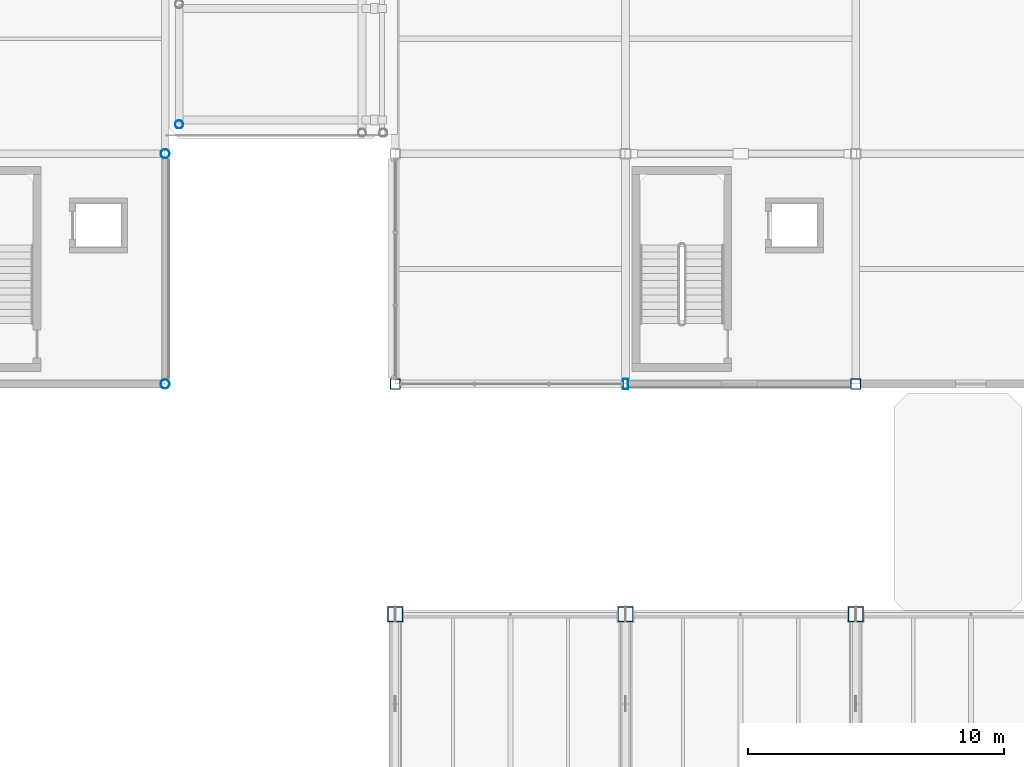
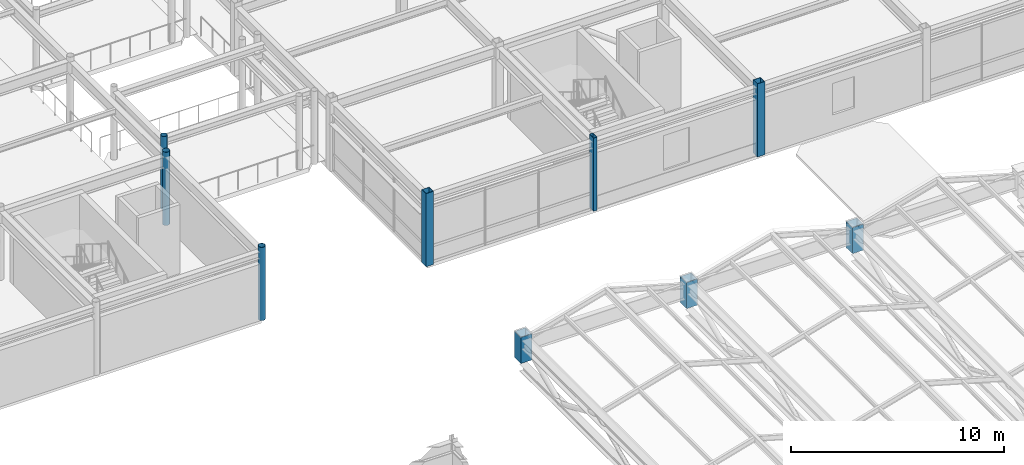
# One storey, part 9 of 108: 9 columns.
"""IFC4 building model written with IfcOpenShell, lengths in metres."""

from ifc_helpers import new_model, si_unit, direction, frame, origin, origin_2d, place, context, subcontext, project, spatial, hollow_rectangle, hollow_circle, extrude, material, material_profile, profile_set, type_object, element, save


model = new_model("IFC4")

# Units and contexts
model_context = context("Model", 3, precision=1e-05, world=origin(), true_north=direction((0.0, 1.0)))
body_context = subcontext(model_context, "Body", "Model", "MODEL_VIEW")
ifc_project = project(units=[si_unit("LENGTHUNIT", "METRE"), si_unit("AREAUNIT", "SQUARE_METRE"), si_unit("VOLUMEUNIT", "CUBIC_METRE"), si_unit("PLANEANGLEUNIT", "RADIAN"), si_unit("MASSUNIT", "GRAM", prefix="KILO")], contexts=[model_context])

# Site, building, storey
site_placement = place(None, origin())
site = spatial("IfcSite", under=ifc_project, at=site_placement, CompositionType="ELEMENT")
building_placement = place(site_placement, origin())
building = spatial("IfcBuilding", under=site, at=building_placement, Name="Suzunagisa Mobility Hub", CompositionType="ELEMENT")
storey_placement = place(building_placement, frame((0.0, 0.0, 9.300048828125)))
storey = spatial("IfcBuildingStorey", under=building, at=storey_placement, Name="L02", CompositionType="ELEMENT", Elevation=9.300048828125)

# Columns
ifc_material = material(Name="Steel SN490B", Category="steel")
ifc_material_profile_1 = material_profile(ifc_material, hollow_rectangle(XDim=0.199951171875, YDim=0.39990234375, WallThickness=0.011962890625, at=origin_2d()), Name="RHS-400x200x12")
ifc_profile_set_1 = profile_set([ifc_material_profile_1], Name="Steel SN490B")
column_type_1 = type_object("IfcColumnType", Name="Steel Column CL-03 RHS-400x200x12", PredefinedType="COLUMN", material=ifc_profile_set_1)
column_1_placement = place(storey_placement, frame((54.0, 80.0, 0.0), z_axis=(0.0, 0.0, 1.0), x_axis=(1.0, 0.0, 0.0)))
element("IfcColumn", 1, at=column_1_placement, inside=storey, type_object=column_type_1, Name="L02 Column 129", PredefinedType="COLUMN", context=body_context, shape_type="SweptSolid", body=[
    extrude(hollow_rectangle(XDim=0.199951171875, YDim=0.39990234375, WallThickness=0.011962890625, at=origin_2d()), origin(), (0.0, 0.0, 1.0), 4.199951171875),
])
ifc_material_profile_2 = material_profile(ifc_material, hollow_rectangle(XDim=0.60009765625, YDim=0.60009765625, WallThickness=0.031982421875, at=origin_2d()), Name="BOX-600x600x32")
ifc_profile_set_2 = profile_set([ifc_material_profile_2], Name="Steel SN490B")
column_type_2 = type_object("IfcColumnType", Name="Steel Column CL-05 BOX-600x600x32", PredefinedType="COLUMN", material=ifc_profile_set_2)
for number, where, z_axis, x_axis, name in (
    (2, (45.0, 71.0, 0.0), (0.0, 0.0, 1.0), (1.0, 0.0, 0.0), "L02 Column 117"),
    (3, (54.0, 71.0, 0.0), (0.0, 0.0, 1.0), (1.0, 0.0, 0.0), "L02 Column 128"),
    (4, (63.0, 71.0, 0.0), (0.0, 0.0, 1.0), (1.0, 0.0, 0.0), "L02 Column 137"),
):
    element("IfcColumn", number, at=place(storey_placement, frame(where, z_axis=z_axis, x_axis=x_axis)), inside=storey, type_object=column_type_2, Name=name, PredefinedType="COLUMN", context=body_context, shape_type="SweptSolid", body=[
        extrude(hollow_rectangle(XDim=0.60009765625, YDim=0.60009765625, WallThickness=0.031982421875, at=origin_2d()), origin(), (0.0, 0.0, 1.0), 1.5),
    ])
ifc_material_profile_3 = material_profile(ifc_material, hollow_circle(Radius=0.1591796875, WallThickness=0.01025390625, at=origin_2d()), Name="CHS-318.5x10.3")
ifc_profile_set_3 = profile_set([ifc_material_profile_3], Name="Steel SN490B")
column_type_3 = type_object("IfcColumnType", Name="Steel Column CL-09 CHS-318.5x10.3", PredefinedType="COLUMN", material=ifc_profile_set_3)
column_2_placement = place(storey_placement, frame((36.550048828125, 90.14990234375, 0.0), z_axis=(0.0, 0.0, 1.0), x_axis=(1.0, 0.0, 0.0)))
element("IfcColumn", 5, at=column_2_placement, inside=storey, type_object=column_type_3, Name="L02 Column 92", PredefinedType="COLUMN", context=body_context, shape_type="SweptSolid", body=[
    extrude(hollow_circle(Radius=0.1591796875, WallThickness=0.01025390625, at=origin_2d()), origin(), (0.0, 0.0, 1.0), 4.199951171875),
])
ifc_material_profile_4 = material_profile(ifc_material, hollow_rectangle(XDim=0.39990234375, YDim=0.39990234375, WallThickness=0.01904296875, at=origin_2d()), Name="BCR-400x400x19")
ifc_profile_set_4 = profile_set([ifc_material_profile_4], Name="Steel SN490B")
column_type_4 = type_object("IfcColumnType", Name="Steel Column CL-13 BCR-400x400x19", PredefinedType="COLUMN", material=ifc_profile_set_4)
for number, where, z_axis, x_axis, name in (
    (6, (45.0, 80.0, 0.0), (0.0, 0.0, 1.0), (1.0, 0.0, 0.0), "L02 Column 118"),
    (7, (63.0, 80.0, 0.0), (0.0, 0.0, 1.0), (1.0, 0.0, 0.0), "L02 Column 138"),
):
    element("IfcColumn", number, at=place(storey_placement, frame(where, z_axis=z_axis, x_axis=x_axis)), inside=storey, type_object=column_type_4, Name=name, PredefinedType="COLUMN", context=body_context, shape_type="SweptSolid", body=[
        extrude(hollow_rectangle(XDim=0.39990234375, YDim=0.39990234375, WallThickness=0.01904296875, at=origin_2d()), origin(), (0.0, 0.0, 1.0), 4.199951171875),
    ])
ifc_material_profile_5 = material_profile(ifc_material, hollow_circle(Radius=0.177734375, WallThickness=0.0126953125, at=origin_2d()), Name="CHS-355.6x12.7")
ifc_profile_set_5 = profile_set([ifc_material_profile_5], Name="Steel SN490B")
column_type_5 = type_object("IfcColumnType", Name="Steel Column CL-18 CHS-355.6x12.7", PredefinedType="COLUMN", material=ifc_profile_set_5)
for number, where, z_axis, x_axis, name in (
    (8, (36.0, 80.0, 0.0), (0.0, 0.0, 1.0), (1.0, 0.0, 0.0), "L02 Column 85"),
    (9, (36.0, 89.0, 0.0), (0.0, 0.0, 1.0), (1.0, 0.0, 0.0), "L02 Column 86"),
):
    element("IfcColumn", number, at=place(storey_placement, frame(where, z_axis=z_axis, x_axis=x_axis)), inside=storey, type_object=column_type_5, Name=name, PredefinedType="COLUMN", context=body_context, shape_type="SweptSolid", body=[
        extrude(hollow_circle(Radius=0.177734375, WallThickness=0.0126953125, at=origin_2d()), origin(), (0.0, 0.0, 1.0), 4.199951171875),
    ])

save(model, "model.ifc")
